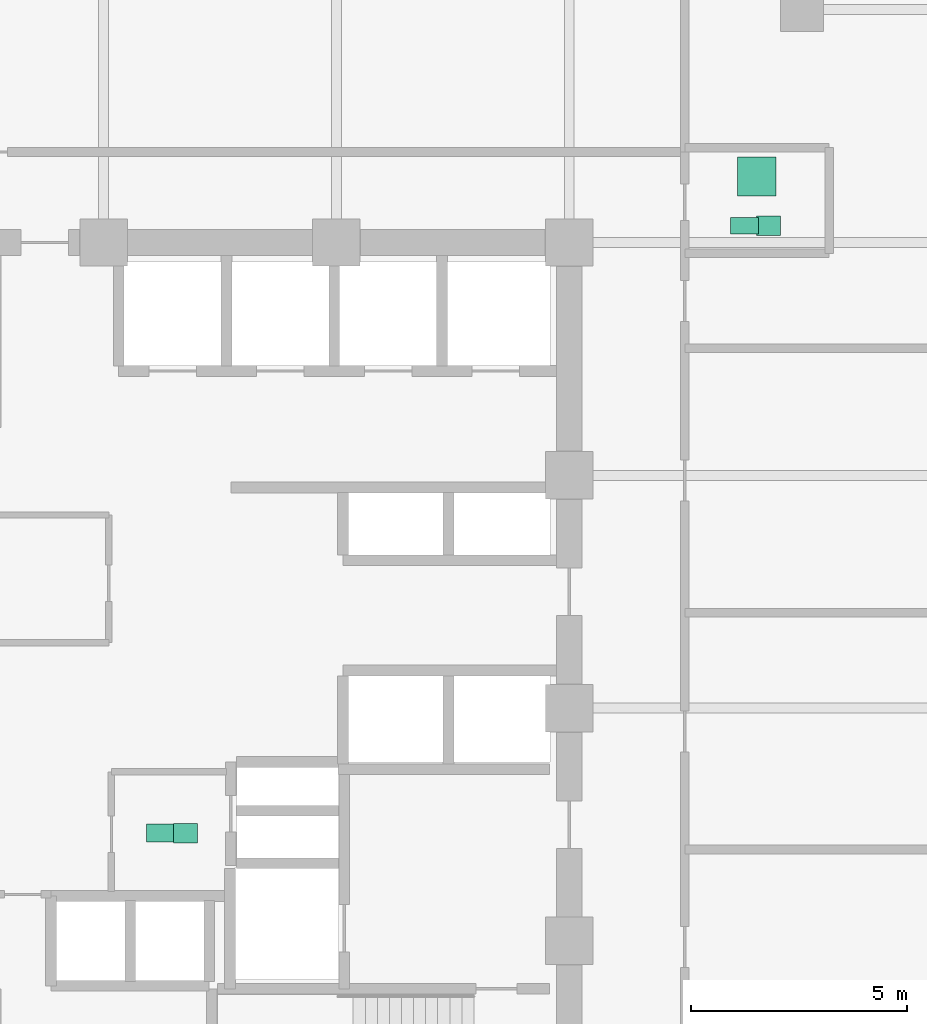
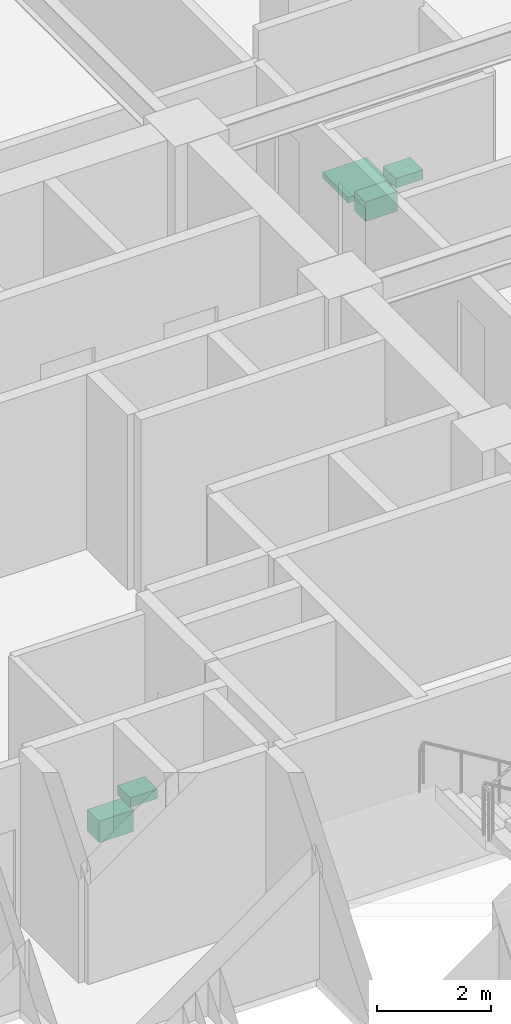
# One storey, part 29 of 29: 5 sanitary terminals.
"""IFC4 building model written with IfcOpenShell, lengths in metres."""

from ifc_helpers import new_model, si_unit, direction, frame, origin, origin_2d, place, context, subcontext, project, spatial, rectangle, extrude, material, type_object, element, save


model = new_model("IFC4")

# Units and contexts
model_context = context("Model", 3, precision=1e-05, world=origin(), true_north=direction((0.0, 1.0)))
body_context = subcontext(model_context, "Body", "Model", "MODEL_VIEW")
ifc_project = project(units=[si_unit("LENGTHUNIT", "METRE"), si_unit("AREAUNIT", "SQUARE_METRE"), si_unit("VOLUMEUNIT", "CUBIC_METRE"), si_unit("PLANEANGLEUNIT", "RADIAN"), si_unit("MASSUNIT", "GRAM", prefix="KILO")], contexts=[model_context])

# Site, building, storey
site_placement = place(None, origin())
site = spatial("IfcSite", under=ifc_project, at=site_placement, CompositionType="ELEMENT")
building_placement = place(site_placement, origin())
building = spatial("IfcBuilding", under=site, at=building_placement, Name="Surkhivell Harbour Commons", CompositionType="ELEMENT")
storey_placement = place(building_placement, frame((0.0, 0.0, 158.25)))
storey = spatial("IfcBuildingStorey", under=building, at=storey_placement, Name="L41", CompositionType="ELEMENT", Elevation=158.25)

# Sanitary terminals
ifc_material_1 = material(Name="Vitreous china washbasin", Category="other")
sanitary_terminal_type_1 = type_object("IfcSanitaryTerminalType", Name="SAN-BSN", PredefinedType="WASHHANDBASIN", material=ifc_material_1)
for number, where, z_axis, x_axis, name in (
    (1, (1.89990234375, -2.89990234375, 0.72021484375), (0.0, 0.0, 1.0), (1.0, 0.0, 0.0), "L41 Core Accessible WC Washbasin"),
    (2, (15.419921875, 11.18994140625, 0.72021484375), (0.0, 0.0, 1.0), (1.0, 0.0, 0.0), "L41 East Communal Bathroom WC Washbasin"),
):
    element("IfcSanitaryTerminal", number, at=place(storey_placement, frame(where, z_axis=z_axis, x_axis=x_axis)), inside=storey, type_object=sanitary_terminal_type_1, Name=name, PredefinedType="WASHHANDBASIN", context=body_context, shape_type="SweptSolid", body=[
        extrude(rectangle(XDim=0.550048828125, YDim=0.449951171875, at=origin_2d()), origin(), (0.0, 0.0, 1.0), 0.199951171875),
    ])
ifc_material_2 = material(Name="Glazed porcelain shower tray", Category="other")
sanitary_terminal_type_2 = type_object("IfcSanitaryTerminalType", Name="SAN-SHW", PredefinedType="SHOWER", material=ifc_material_2)
sanitary_terminal_1_placement = place(storey_placement, frame((15.14990234375, 12.330078125, 0.0), z_axis=(0.0, 0.0, 1.0), x_axis=(1.0, 0.0, 0.0)))
element("IfcSanitaryTerminal", 3, at=sanitary_terminal_1_placement, inside=storey, type_object=sanitary_terminal_type_2, Name="L41 East Communal Shower Tray", PredefinedType="SHOWER", context=body_context, shape_type="SweptSolid", body=[
    extrude(rectangle(XDim=0.89990234375, YDim=0.89990234375, at=origin_2d()), origin(), (0.0, 0.0, 1.0), 0.1201171875),
])
ifc_material_3 = material(Name="Vitreous china sanitaryware", Category="other")
sanitary_terminal_type_3 = type_object("IfcSanitaryTerminalType", Name="SAN-WC-ACC", PredefinedType="TOILETPAN", material=ifc_material_3)
sanitary_terminal_2_placement = place(storey_placement, frame((1.35009765625, -2.89990234375, 0.169921875), z_axis=(0.0, 0.0, 1.0), x_axis=(1.0, 0.0, 0.0)))
element("IfcSanitaryTerminal", 4, at=sanitary_terminal_2_placement, inside=storey, type_object=sanitary_terminal_type_3, Name="L41 Core Accessible WC", PredefinedType="TOILETPAN", context=body_context, shape_type="SweptSolid", body=[
    extrude(rectangle(XDim=0.699951171875, YDim=0.419921875, at=origin_2d()), origin(), (0.0, 0.0, 1.0), 0.4599609375),
])
sanitary_terminal_type_4 = type_object("IfcSanitaryTerminalType", Name="SAN-WC-STD", PredefinedType="TOILETPAN", material=ifc_material_3)
sanitary_terminal_3_placement = place(storey_placement, frame((14.8701171875, 11.18994140625, 0.18994140625), z_axis=(0.0, 0.0, 1.0), x_axis=(1.0, 0.0, 0.0)))
element("IfcSanitaryTerminal", 5, at=sanitary_terminal_3_placement, inside=storey, type_object=sanitary_terminal_type_4, Name="L41 East Communal Bathroom WC", PredefinedType="TOILETPAN", context=body_context, shape_type="SweptSolid", body=[
    extrude(rectangle(XDim=0.64990234375, YDim=0.3798828125, at=origin_2d()), origin(), (0.0, 0.0, 1.0), 0.419921875),
])

save(model, "model.ifc")
